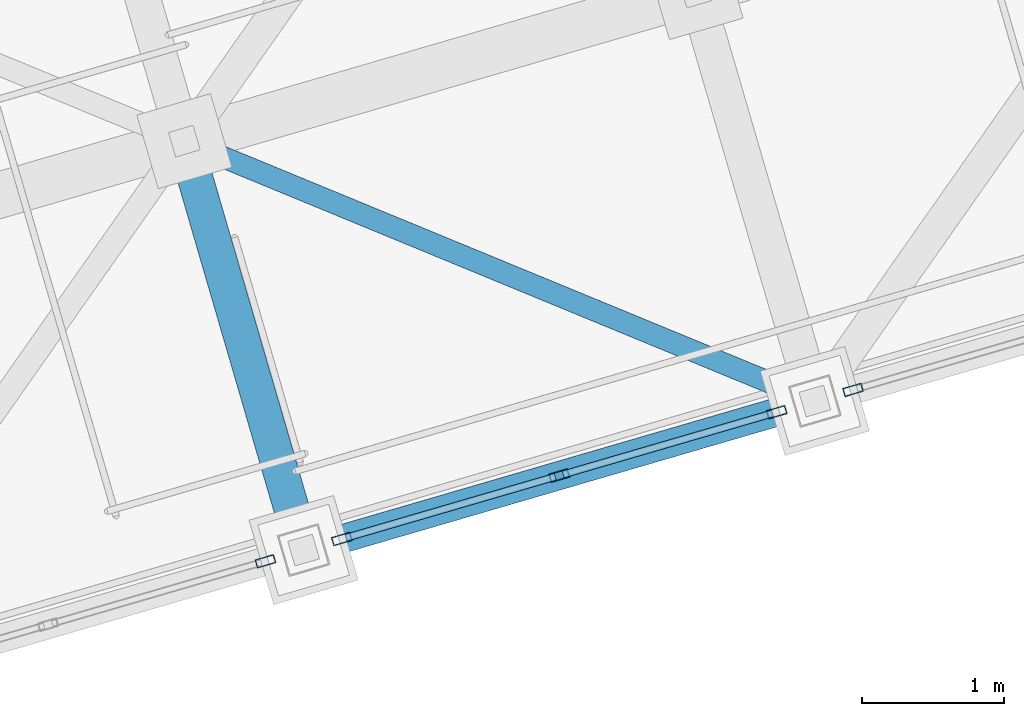
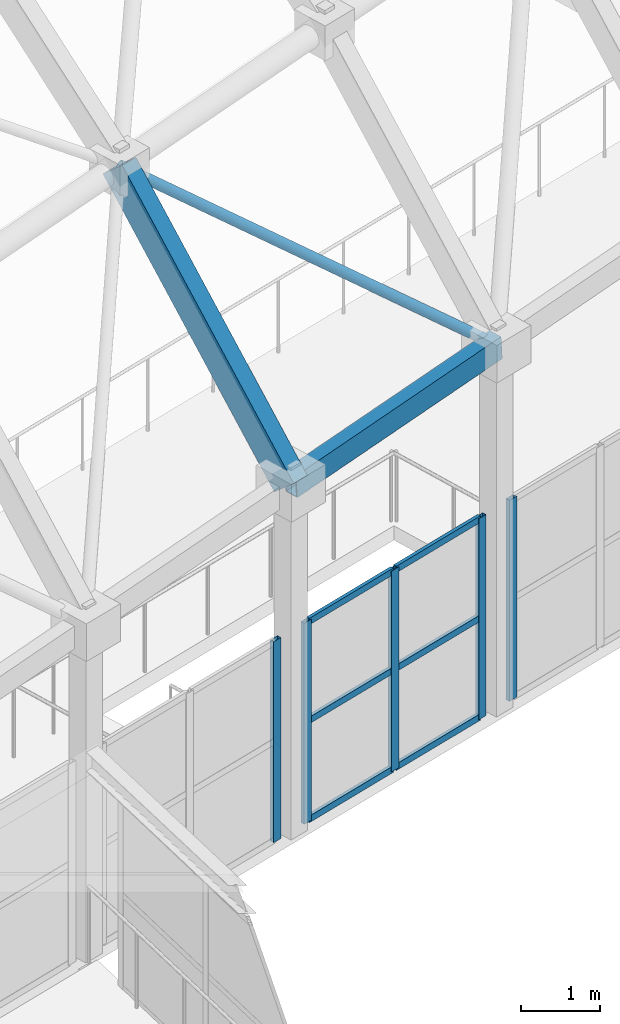
# One storey, part 60 of 248: 12 members, 2 beams, 3 elements without a shape of their own.
"""IFC4 building model written with IfcOpenShell, lengths in metres."""

from ifc_helpers import new_model, si_unit, direction, frame, origin, origin_2d, place, context, subcontext, project, spatial, hollow_rectangle, hollow_circle, extrude, material, layer, layer_set, material_profile, profile_set, type_object, element, aggregate, save


model = new_model("IFC4")

# Units and contexts
model_context = context("Model", 3, precision=1e-05, world=origin(), true_north=direction((0.0, 1.0)))
body_context = subcontext(model_context, "Body", "Model", "MODEL_VIEW")
ifc_project = project(units=[si_unit("LENGTHUNIT", "METRE"), si_unit("AREAUNIT", "SQUARE_METRE"), si_unit("VOLUMEUNIT", "CUBIC_METRE"), si_unit("PLANEANGLEUNIT", "RADIAN"), si_unit("MASSUNIT", "GRAM", prefix="KILO")], contexts=[model_context])

# Site, building, storey
site_placement = place(None, origin())
site = spatial("IfcSite", under=ifc_project, at=site_placement, CompositionType="ELEMENT")
building_placement = place(site_placement, origin())
building = spatial("IfcBuilding", under=site, at=building_placement, Name="Canggui Botanical Conservatory", CompositionType="ELEMENT")
storey_placement = place(building_placement, frame((0.0, 0.0, 5.39990234375)))
storey = spatial("IfcBuildingStorey", under=building, at=storey_placement, Name="L02", CompositionType="ELEMENT", Elevation=5.39990234375)

# Beams
ifc_material_1 = material(Name="Steel Q355C", Category="steel")
ifc_material_profile_1 = material_profile(ifc_material_1, hollow_rectangle(XDim=0.25, YDim=0.449951171875, WallThickness=0.013916015625, at=origin_2d()), Name="RHS 250x450x14")
ifc_profile_set_1 = profile_set([ifc_material_profile_1], Name="Steel Q355C")
beam_type_1 = type_object("IfcBeamType", Name="BM-GJ02", PredefinedType="BEAM", material=ifc_profile_set_1)
beam_1_placement = place(storey_placement, frame((45.199951171875, 49.35009765625, 5.35009765625), z_axis=(-0.183516511104, 0.629290920054, 0.755191782324), x_axis=(-0.960010937337, -0.279962497833, 0.0)))
element("IfcBeam", 1, at=beam_1_placement, inside=storey, type_object=beam_type_1, Name="Conservatory Stepped-Arch Rib GJ-08 Segment 1", PredefinedType="BEAM", context=body_context, shape_type="SweptSolid", body=[
    extrude(hollow_rectangle(XDim=0.25, YDim=0.449951171875, WallThickness=0.013916015625, at=origin_2d()), origin(), (0.0, 0.0, 1.0), 4.576416015625),
])
ifc_material_profile_2 = material_profile(ifc_material_1, hollow_rectangle(XDim=0.199951171875, YDim=0.35009765625, WallThickness=0.011962890625, at=origin_2d()), Name="RHS 200x350x12")
ifc_profile_set_2 = profile_set([ifc_material_profile_2], Name="Steel Q355C")
beam_type_2 = type_object("IfcBeamType", Name="BM-RING01", PredefinedType="BEAM", material=ifc_profile_set_2)
beam_2_placement = place(storey_placement, frame((45.199951171875, 49.35009765625, 5.35009765625), z_axis=(0.957889800097, 0.279324979006, 0.066518320582), x_axis=(-0.279945000113, 0.960016039924, 0.0)))
element("IfcBeam", 2, at=beam_2_placement, inside=storey, type_object=beam_type_2, Name="Conservatory Perimeter Ring Beam V0-08", PredefinedType="BEAM", context=body_context, shape_type="SweptSolid", body=[
    extrude(hollow_rectangle(XDim=0.199951171875, YDim=0.35009765625, WallThickness=0.011962890625, at=origin_2d()), origin(), (0.0, 0.0, 1.0), 3.75830078125),
])

# Curtain wall, member
ifc_material_2 = material(Name="Thermally Broken Aluminium", Category="aluminium")
ifc_layer = layer(ifc_material_2, 0.135009765625, Name="Thermally Broken Aluminium", Category="aluminium")
ifc_layer_set = layer_set([ifc_layer], Name="Thermally Broken Aluminium")
curtain_wall_type = type_object("IfcCurtainWallType", Name="CW-STICK-A", PredefinedType="USERDEFINED", material=ifc_layer_set)
curtain_wall_1_placement = place(storey_placement, origin())
curtain_wall_1 = element("IfcCurtainWall", 3, at=curtain_wall_1_placement, inside=storey, type_object=curtain_wall_type, Name="Facade Curtain Wall CW-CONS-L02-V0-07", ObjectType="STICK GLAZED WALL", PredefinedType="USERDEFINED")
ifc_material_profile_3 = material_profile(ifc_material_2, hollow_rectangle(XDim=0.06005859375, YDim=0.135009765625, WallThickness=0.00341796875, at=origin_2d()), Name="CWM 60x135x3.5")
ifc_profile_set_3 = profile_set([ifc_material_profile_3], Name="Thermally Broken Aluminium")
member_type_1 = type_object("IfcMemberType", Name="CWM-04", PredefinedType="MULLION", material=ifc_profile_set_3)
member_1_placement = place(storey_placement, frame((44.93115234375, 49.271484375, 0.0), z_axis=(0.0, 0.0, 1.0), x_axis=(0.279999999995, -0.960000000002, 0.0)))
member_1 = element("IfcMember", 4, at=member_1_placement, type_object=member_type_1, Name="CW-04 mullion 1", PredefinedType="MULLION", context=body_context, shape_type="SweptSolid", body=[
    extrude(hollow_rectangle(XDim=0.06005859375, YDim=0.135009765625, WallThickness=0.00341796875, at=origin_2d()), origin(), (0.0, 0.0, 1.0), 3.10009765625),
])
aggregate(curtain_wall_1, [member_1])

# Curtain wall, members
curtain_wall_2_placement = place(storey_placement, origin())
curtain_wall_2 = element("IfcCurtainWall", 5, at=curtain_wall_2_placement, inside=storey, type_object=curtain_wall_type, Name="Facade Curtain Wall CW-CONS-L02-V0-08", ObjectType="STICK GLAZED WALL", PredefinedType="USERDEFINED")
member_2_placement = place(storey_placement, frame((48.53125, 50.321533203125, 0.0), z_axis=(0.0, 0.0, 1.0), x_axis=(0.279999999995, -0.960000000002, 0.0)))
member_2 = element("IfcMember", 6, at=member_2_placement, type_object=member_type_1, Name="CW-04 mullion 1", PredefinedType="MULLION", context=body_context, shape_type="SweptSolid", body=[
    extrude(hollow_rectangle(XDim=0.06005859375, YDim=0.135009765625, WallThickness=0.00341796875, at=origin_2d()), origin(), (0.0, 0.0, 1.0), 3.10009765625),
])
member_3_placement = place(storey_placement, frame((47.0, 49.875, 0.0), z_axis=(0.0, 0.0, 1.0), x_axis=(0.279999999995, -0.960000000002, 0.0)))
member_3 = element("IfcMember", 7, at=member_3_placement, type_object=member_type_1, Name="CW-04 mullion 2", PredefinedType="MULLION", context=body_context, shape_type="SweptSolid", body=[
    extrude(hollow_rectangle(XDim=0.06005859375, YDim=0.135009765625, WallThickness=0.00341796875, at=origin_2d()), origin(), (0.0, 0.0, 1.0), 3.10009765625),
])
member_4_placement = place(storey_placement, frame((45.46875, 49.428466796875, 0.0), z_axis=(0.0, 0.0, 1.0), x_axis=(0.279999999995, -0.960000000002, 0.0)))
member_4 = element("IfcMember", 8, at=member_4_placement, type_object=member_type_1, Name="CW-04 mullion 3", PredefinedType="MULLION", context=body_context, shape_type="SweptSolid", body=[
    extrude(hollow_rectangle(XDim=0.06005859375, YDim=0.135009765625, WallThickness=0.00341796875, at=origin_2d()), origin(), (0.0, 0.0, 1.0), 3.10009765625),
])

# Curtain wall, member
curtain_wall_3_placement = place(storey_placement, origin())
curtain_wall_3 = element("IfcCurtainWall", 9, at=curtain_wall_3_placement, inside=storey, type_object=curtain_wall_type, Name="Facade Curtain Wall CW-CONS-L02-V0-09", ObjectType="STICK GLAZED WALL", PredefinedType="USERDEFINED")
member_5_placement = place(storey_placement, frame((49.06884765625, 50.478515625, 0.0), z_axis=(0.0, 0.0, 1.0), x_axis=(0.279999999995, -0.960000000002, 0.0)))
member_5 = element("IfcMember", 10, at=member_5_placement, type_object=member_type_1, Name="CW-04 mullion 3", PredefinedType="MULLION", context=body_context, shape_type="SweptSolid", body=[
    extrude(hollow_rectangle(XDim=0.06005859375, YDim=0.135009765625, WallThickness=0.00341796875, at=origin_2d()), origin(), (0.0, 0.0, 1.0), 3.10009765625),
])
aggregate(curtain_wall_3, [member_5])

# Member
ifc_material_profile_4 = material_profile(ifc_material_2, hollow_rectangle(XDim=0.050048828125, YDim=0.10009765625, WallThickness=0.0029296875, at=origin_2d()), Name="CWT 50x100x3")
ifc_profile_set_4 = profile_set([ifc_material_profile_4], Name="Thermally Broken Aluminium")
member_type_2 = type_object("IfcMemberType", Name="CWT-04", PredefinedType="USERDEFINED", material=ifc_profile_set_4)
member_6_placement = place(storey_placement, frame((48.50244140625, 50.313232421875, 0.025146484375), z_axis=(-0.959978621933, -0.280073285822, 0.0), x_axis=(0.280073285822, -0.959978621933, 0.0)))
member_6 = element("IfcMember", 11, at=member_6_placement, type_object=member_type_2, Name="CW-04 transom 1.1", ObjectType="TRANSOM", PredefinedType="USERDEFINED", context=body_context, shape_type="SweptSolid", body=[
    extrude(hollow_rectangle(XDim=0.050048828125, YDim=0.10009765625, WallThickness=0.0029296875, at=origin_2d()), origin(), (0.0, 0.0, 1.0), 1.53515625),
])

member_7_placement = place(storey_placement, frame((48.50244140625, 50.313232421875, 1.550048828125), z_axis=(-0.959978621933, -0.280073285822, 0.0), x_axis=(0.280073285822, -0.959978621933, 0.0)))
member_7 = element("IfcMember", 12, at=member_7_placement, type_object=member_type_2, Name="CW-04 transom 1.2", ObjectType="TRANSOM", PredefinedType="USERDEFINED", context=body_context, shape_type="SweptSolid", body=[
    extrude(hollow_rectangle(XDim=0.050048828125, YDim=0.10009765625, WallThickness=0.0029296875, at=origin_2d()), origin(), (0.0, 0.0, 1.0), 1.53515625),
])

member_8_placement = place(storey_placement, frame((48.50244140625, 50.313232421875, 3.0751953125), z_axis=(-0.959978621933, -0.280073285822, 0.0), x_axis=(0.280073285822, -0.959978621933, 0.0)))
member_8 = element("IfcMember", 13, at=member_8_placement, type_object=member_type_2, Name="CW-04 transom 1.3", ObjectType="TRANSOM", PredefinedType="USERDEFINED", context=body_context, shape_type="SweptSolid", body=[
    extrude(hollow_rectangle(XDim=0.050048828125, YDim=0.10009765625, WallThickness=0.0029296875, at=origin_2d()), origin(), (0.0, 0.0, 1.0), 1.53515625),
])

member_9_placement = place(storey_placement, frame((46.97119140625, 49.86669921875, 0.025146484375), z_axis=(-0.959978621933, -0.280073285822, 0.0), x_axis=(0.280073285822, -0.959978621933, 0.0)))
member_9 = element("IfcMember", 14, at=member_9_placement, type_object=member_type_2, Name="CW-04 transom 2.1", ObjectType="TRANSOM", PredefinedType="USERDEFINED", context=body_context, shape_type="SweptSolid", body=[
    extrude(hollow_rectangle(XDim=0.050048828125, YDim=0.10009765625, WallThickness=0.0029296875, at=origin_2d()), origin(), (0.0, 0.0, 1.0), 1.53515625),
])

member_10_placement = place(storey_placement, frame((46.97119140625, 49.86669921875, 1.550048828125), z_axis=(-0.959978621933, -0.280073285822, 0.0), x_axis=(0.280073285822, -0.959978621933, 0.0)))
member_10 = element("IfcMember", 15, at=member_10_placement, type_object=member_type_2, Name="CW-04 transom 2.2", ObjectType="TRANSOM", PredefinedType="USERDEFINED", context=body_context, shape_type="SweptSolid", body=[
    extrude(hollow_rectangle(XDim=0.050048828125, YDim=0.10009765625, WallThickness=0.0029296875, at=origin_2d()), origin(), (0.0, 0.0, 1.0), 1.53515625),
])

member_11_placement = place(storey_placement, frame((46.97119140625, 49.86669921875, 3.0751953125), z_axis=(-0.959978621933, -0.280073285822, 0.0), x_axis=(0.280073285822, -0.959978621933, 0.0)))
member_11 = element("IfcMember", 16, at=member_11_placement, type_object=member_type_2, Name="CW-04 transom 2.3", ObjectType="TRANSOM", PredefinedType="USERDEFINED", context=body_context, shape_type="SweptSolid", body=[
    extrude(hollow_rectangle(XDim=0.050048828125, YDim=0.10009765625, WallThickness=0.0029296875, at=origin_2d()), origin(), (0.0, 0.0, 1.0), 1.53515625),
])

aggregate(curtain_wall_2, [member_2, member_3, member_4, member_6, member_7, member_8, member_9, member_10, member_11])

ifc_material_profile_5 = material_profile(ifc_material_1, hollow_circle(Radius=0.075927734375, WallThickness=0.006103515625, at=origin_2d()), Name="CHS 152x6")
ifc_profile_set_5 = profile_set([ifc_material_profile_5], Name="Steel Q355C")
member_type_3 = type_object("IfcMemberType", Name="MEM-GSD04", PredefinedType="RAFTER", material=ifc_profile_set_5)
member_12_placement = place(storey_placement, frame((44.360107421875, 52.22998046875, 8.80615234375), z_axis=(0.768931384715, -0.316942134599, -0.555240676569), x_axis=(0.381082183428, 0.924541166998, 0.0)))
element("IfcMember", 17, at=member_12_placement, inside=storey, type_object=member_type_3, Name="Conservatory Gridshell Diagrid Rafter 8-1", PredefinedType="RAFTER", context=body_context, shape_type="SweptSolid", body=[
    extrude(hollow_circle(Radius=0.075927734375, WallThickness=0.006103515625, at=origin_2d()), origin(), (0.0, 0.0, 1.0), 5.774169921875),
])

save(model, "model.ifc")
